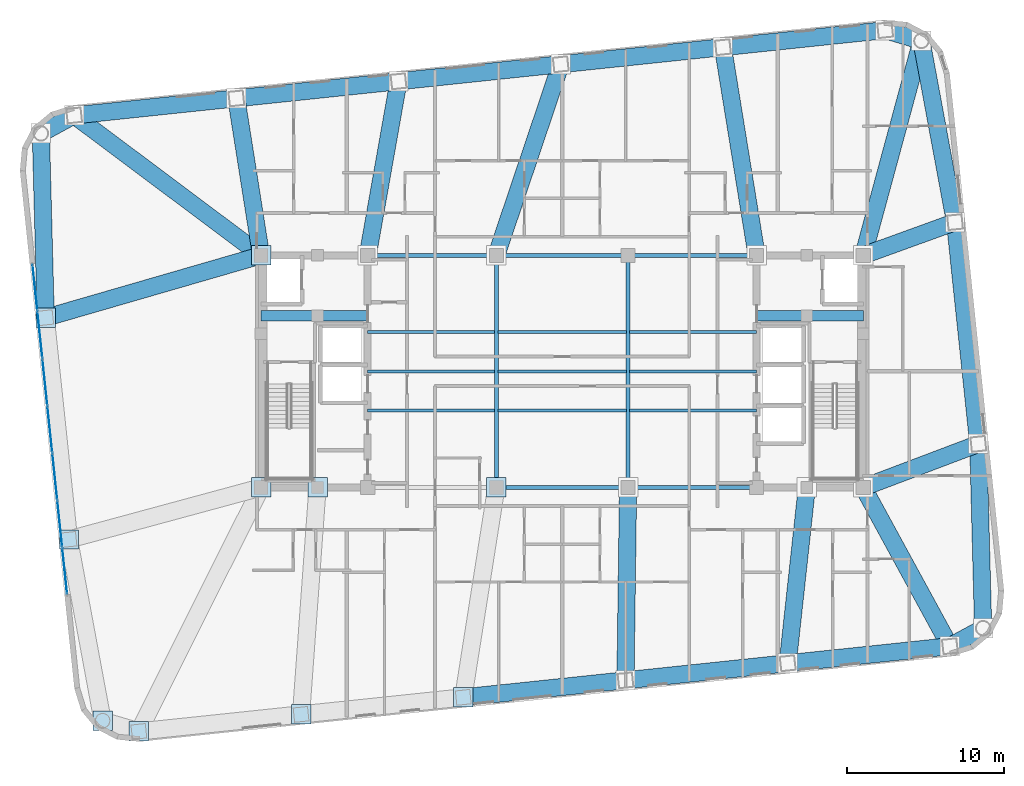
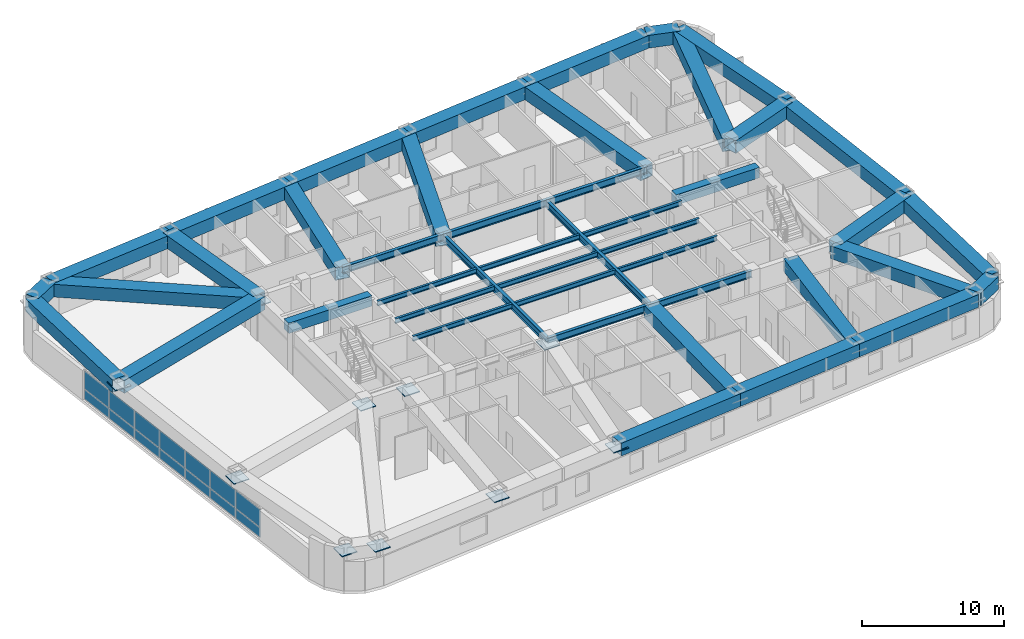
# One storey, part 5 of 14: 45 beams, 24 plates, 1 element without a shape of its own.
"""IFC4 building model written with IfcOpenShell, lengths in metres."""

import ifcopenshell
import ifcopenshell.guid

model = None  # the IFC model being written
_history = None  # IfcOwnerHistory: only IFC2X3 demands one
_inside = {}  # id of a spatial element -> (the spatial element, [elements in it])
_under = {}  # id of a project, library or spatial element -> (it, [spatial elements below it])
_declared = {}  # id of a project -> (the project, [libraries it declares])
_typed = {}  # id of a type object -> (the type object, [elements of that type])
_made_of = {}  # id of a material, layer set ... -> (it, [elements and type objects made of it])


def new_model(schema):
    """Start an empty IFC model of exactly this schema.

    Asked for "IFC4X3", IfcOpenShell would pick the latest addendum, in which some entities
    have other attributes; the version numbers below select the first issue.
    IFC2X3 requires an IfcOwnerHistory on every rooted entity: one is made here for all.
    """
    global model, _history
    if schema == "IFC4X3":
        model = ifcopenshell.file(schema_version=(4, 3, 0, 0))
    else:
        model = ifcopenshell.file(schema=schema)
    _inside.clear()
    _under.clear()
    _declared.clear()
    _typed.clear()
    _made_of.clear()
    _history = None
    if model.schema == "IFC2X3":
        org = make("IfcOrganization", Name="unknown")
        user = make(
            "IfcPersonAndOrganization",
            ThePerson=make("IfcPerson", FamilyName="unknown"),
            TheOrganization=org,
        )
        app = make(
            "IfcApplication",
            ApplicationDeveloper=org,
            Version="unknown",
            ApplicationFullName="unknown",
            ApplicationIdentifier="unknown",
        )
        _history = make(
            "IfcOwnerHistory",
            OwningUser=user,
            OwningApplication=app,
            ChangeAction="ADDED",
            CreationDate=0,
        )
    return model


def make(cls, **values):
    """One entity of the class cls with the attributes given. An attribute that is None is left unset."""
    return model.create_entity(
        cls, **{name: value for name, value in values.items() if value is not None}
    )


def rooted(cls, **values):
    """An entity with a GlobalId (a new one), such as an element, a storey or a relation."""
    return make(cls, GlobalId=ifcopenshell.guid.new(), OwnerHistory=_history, **values)


def si_unit(unit_type, name, prefix=None):
    """IfcSIUnit, for example si_unit("LENGTHUNIT", "METRE", prefix="MILLI")."""
    return make("IfcSIUnit", UnitType=unit_type, Prefix=prefix, Name=name)


def assignment(units):
    """IfcUnitAssignment: the units of a project."""
    return None if units is None else make("IfcUnitAssignment", Units=units)


def point(xyz):
    """IfcCartesianPoint."""
    return None if xyz is None else make("IfcCartesianPoint", Coordinates=xyz)


def direction(xyz):
    """IfcDirection."""
    return None if xyz is None else make("IfcDirection", DirectionRatios=xyz)


def frame(location, z_axis=None, x_axis=None):
    """IfcAxis2Placement3D, a coordinate frame: its origin and axes. An axis left out is left unset."""
    return make(
        "IfcAxis2Placement3D",
        Location=point(location),
        Axis=direction(z_axis),
        RefDirection=direction(x_axis),
    )


def frame_2d(location, x_axis=None):
    """IfcAxis2Placement2D, a coordinate frame in the plane: its origin and x axis."""
    return make(
        "IfcAxis2Placement2D", Location=point(location), RefDirection=direction(x_axis)
    )


def origin():
    """The frame at (0, 0, 0) with its axes left unset."""
    return frame((0.0, 0.0, 0.0))


def origin_2d():
    """The frame at (0, 0) in the plane with its x axis left unset."""
    return frame_2d((0.0, 0.0))


def place(relative_to, where):
    """IfcLocalPlacement: puts the frame where relative to a parent placement (None: the world)."""
    return make(
        "IfcLocalPlacement", PlacementRelTo=relative_to, RelativePlacement=where
    )


def context(
    kind, dimensions, precision=None, world=None, true_north=None, identifier=None
):
    """IfcGeometricRepresentationContext, for example the 3D "Model" context."""
    return make(
        "IfcGeometricRepresentationContext",
        ContextIdentifier=identifier,
        ContextType=kind,
        CoordinateSpaceDimension=dimensions,
        Precision=precision,
        WorldCoordinateSystem=world,
        TrueNorth=true_north,
    )


def subcontext(parent, identifier, kind, view, scale=None):
    """IfcGeometricRepresentationSubContext, for example "Body" below "Model"."""
    return make(
        "IfcGeometricRepresentationSubContext",
        ContextIdentifier=identifier,
        ContextType=kind,
        ParentContext=parent,
        TargetScale=scale,
        TargetView=view,
    )


def project(units=None, contexts=None):
    """IfcProject with its units and contexts."""
    return rooted(
        "IfcProject",
        Name="project",
        RepresentationContexts=contexts,
        UnitsInContext=assignment(units),
    )


def spatial(cls, under=None, at=None, **own):
    """A site, building, storey or space (cls), placed at a placement, below another one or the project."""
    s = rooted(cls, ObjectPlacement=at, **own)
    if under is not None:
        _under.setdefault(under.id(), (under, []))[1].append(s)
    return s


def profile(cls, at=None, kind="AREA", **sizes):
    """A parametric profile (cls). Its sizes go by their IFC names, for example OverallWidth=200.0."""
    return make(cls, ProfileType=kind, Position=at, **sizes)


def rectangle(**sizes):
    """IfcRectangleProfileDef."""
    return profile("IfcRectangleProfileDef", **sizes)


def hollow_rectangle(**sizes):
    """IfcRectangleHollowProfileDef."""
    return profile("IfcRectangleHollowProfileDef", **sizes)


def i_section(**sizes):
    """IfcIShapeProfileDef."""
    return profile("IfcIShapeProfileDef", **sizes)


def extrude(swept, where, along, depth):
    """IfcExtrudedAreaSolid: the profile swept, set in the frame where, extruded along a direction by depth."""
    return make(
        "IfcExtrudedAreaSolid",
        SweptArea=swept,
        Position=where,
        ExtrudedDirection=direction(along),
        Depth=depth,
    )


def shape(context_of_items, identifier, shape_type, items):
    """IfcShapeRepresentation: the items that make up one representation, for example the "Body"."""
    return make(
        "IfcShapeRepresentation",
        ContextOfItems=context_of_items,
        RepresentationIdentifier=identifier,
        RepresentationType=shape_type,
        Items=items,
    )


def material(Name=None, Category=None):
    """IfcMaterial."""
    return make("IfcMaterial", Name=Name, Category=Category)


def layer(
    of_material, thickness, ventilated=None, Name=None, Category=None, Priority=None
):
    """IfcMaterialLayer: one layer of a wall or slab, of a material (None: an air gap)."""
    return make(
        "IfcMaterialLayer",
        Material=of_material,
        LayerThickness=thickness,
        IsVentilated=ventilated,
        Name=Name,
        Category=Category,
        Priority=Priority,
    )


def layer_set(layers, Name=None):
    """IfcMaterialLayerSet."""
    return make("IfcMaterialLayerSet", MaterialLayers=layers, LayerSetName=Name)


def material_profile(
    of_material, cross_section, Name=None, Category=None, Priority=None
):
    """IfcMaterialProfile: a cross section and its material."""
    return make(
        "IfcMaterialProfile",
        Name=Name,
        Material=of_material,
        Profile=cross_section,
        Priority=Priority,
        Category=Category,
    )


def profile_set(profiles, Name=None, composite=None):
    """IfcMaterialProfileSet."""
    return make(
        "IfcMaterialProfileSet",
        Name=Name,
        MaterialProfiles=profiles,
        CompositeProfile=composite,
    )


def made_of(thing, what):
    """Note that an element or type object is made of a material, layer set ...; save() writes the relation."""
    if what is not None:
        _made_of.setdefault(what.id(), (what, []))[1].append(thing)
    return thing


def type_object(cls, material=None, **own):
    """A type object (cls), such as IfcWallType, which elements share."""
    return made_of(rooted(cls, **own), material)


def element(
    cls,
    number,
    at=None,
    inside=None,
    cuts=None,
    type_object=None,
    material=None,
    context=None,
    identifier="Body",
    shape_type=None,
    held_by="IfcProductDefinitionShape",
    body=None,
    shapes=None,
    **own,
):
    """One element of the class cls, such as IfcWall. Its Tag is "e" and its number.

    at: its placement. inside: the storey or other place that contains it. cuts: it is an
    opening in that element (IfcRelVoidsElement). A single representation is given by context,
    identifier, shape_type and body (its items); several are given by shapes. held_by: the class
    of the entity that holds the representations. save() writes the other relations.
    """
    e = rooted(cls, Tag="e%d" % number, ObjectPlacement=at, **own)
    if body is not None:
        shapes = [shape(context, identifier, shape_type, body)]
    if shapes is not None:
        e.Representation = make(held_by, Representations=shapes)
    if inside is not None:
        _inside.setdefault(inside.id(), (inside, []))[1].append(e)
    if cuts is not None:
        rooted(
            "IfcRelVoidsElement", RelatingBuildingElement=cuts, RelatedOpeningElement=e
        )
    if type_object is not None:
        _typed.setdefault(type_object.id(), (type_object, []))[1].append(e)
    return made_of(e, material)


def aggregate(whole, parts):
    """IfcRelAggregates: a whole, such as a stair, and the parts it consists of."""
    return rooted("IfcRelAggregates", RelatingObject=whole, RelatedObjects=parts)


def save(model, path):
    """Write the relations noted so far, then the file.

    IfcRelAggregates (storeys below a building ...), IfcRelContainedInSpatialStructure (elements
    in a storey), IfcRelDefinesByType, IfcRelAssociatesMaterial and IfcRelDeclares: one each for
    every whole, place, type object, material and project.
    """
    for whole, parts in _under.values():
        aggregate(whole, parts)
    for where, things in _inside.values():
        rooted(
            "IfcRelContainedInSpatialStructure",
            RelatedElements=things,
            RelatingStructure=where,
        )
    for kind, things in _typed.values():
        rooted("IfcRelDefinesByType", RelatedObjects=things, RelatingType=kind)
    for what, things in _made_of.values():
        rooted("IfcRelAssociatesMaterial", RelatedObjects=things, RelatingMaterial=what)
    for by, libraries in _declared.values():
        rooted("IfcRelDeclares", RelatingContext=by, RelatedDefinitions=libraries)
    model.write(path)


model = new_model("IFC4")

# Units and contexts
model_context = context("Model", 3, precision=1e-05, world=origin(), true_north=direction((0.0, 1.0)))
body_context = subcontext(model_context, "Body", "Model", "MODEL_VIEW")
ifc_project = project(units=[si_unit("LENGTHUNIT", "METRE"), si_unit("AREAUNIT", "SQUARE_METRE"), si_unit("VOLUMEUNIT", "CUBIC_METRE"), si_unit("PLANEANGLEUNIT", "RADIAN"), si_unit("MASSUNIT", "GRAM", prefix="KILO")], contexts=[model_context])

# Site, building, storey
site_placement = place(None, origin())
site = spatial("IfcSite", under=ifc_project, at=site_placement, CompositionType="ELEMENT")
building_placement = place(site_placement, origin())
building = spatial("IfcBuilding", under=site, at=building_placement, Name="Voryun Gate Residences", CompositionType="ELEMENT")
storey_placement = place(building_placement, frame((0.0, 0.0, 144.300048828125)))
storey = spatial("IfcBuildingStorey", under=building, at=storey_placement, Name="L35", CompositionType="ELEMENT", Elevation=144.300048828125)

# Beams
ifc_material_1 = material(Name="Steel SM420", Category="steel")
ifc_material_profile_1 = material_profile(ifc_material_1, hollow_rectangle(XDim=1.10009765625, YDim=1.10009765625, WallThickness=0.035888671875, at=origin_2d()), Name="BOX-1100x1100x36")
ifc_profile_set_1 = profile_set([ifc_material_profile_1], Name="Steel SM420")
beam_type_1 = type_object("IfcBeamType", Name="BM_ARCH_RIB", PredefinedType="USERDEFINED", material=ifc_profile_set_1)
for number, where, z_axis, x_axis, name in (
    (1, (-6.30712890625, -20.785400390625, 3.099853515625), (0.994521263116, 0.104534478571, 0.0), (-0.104534478571, 0.994521263116, 0.0), "BM-L35-SPAND-03"),
    (2, (4.035888671875, -19.6982421875, 3.099853515625), (0.994521263116, 0.104534478571, 0.0), (-0.104534478571, 0.994521263116, 0.0), "BM-L35-SPAND-04"),
    (3, (14.37890625, -18.611083984375, 3.099853515625), (0.99452370336, 0.10451125994, 0.0), (-0.10451125994, 0.99452370336, 0.0), "BM-L35-SPAND-05"),
):
    element("IfcBeam", number, at=place(storey_placement, frame(where, z_axis=z_axis, x_axis=x_axis)), inside=storey, type_object=beam_type_1, Name=name, ObjectType="GIRDER", PredefinedType="USERDEFINED", context=body_context, shape_type="SweptSolid", body=[
        extrude(hollow_rectangle(XDim=1.10009765625, YDim=1.10009765625, WallThickness=0.035888671875, at=origin_2d()), origin(), (0.0, 0.0, 1.0), 10.39990234375),
    ])
beam_1_placement = place(storey_placement, frame((24.721923828125, -17.524169921875, 3.099853515625), z_axis=(0.878830382314, 0.477134319791, 0.0), x_axis=(-0.477134319791, 0.878830382314, 0.0)))
element("IfcBeam", 4, at=beam_1_placement, inside=storey, type_object=beam_type_1, Name="BM-L35-SPAND-06", ObjectType="GIRDER", PredefinedType="USERDEFINED", context=body_context, shape_type="SweptSolid", body=[
    extrude(hollow_rectangle(XDim=1.10009765625, YDim=1.10009765625, WallThickness=0.035888671875, at=origin_2d()), origin(), (0.0, 0.0, 1.0), 2.4111328125),
])
beam_2_placement = place(storey_placement, frame((26.8408203125, -16.373779296875, 3.099853515625), z_axis=(-0.026151005195, 0.999658003983, 0.0), x_axis=(-0.999658003983, -0.026151005195, 0.0)))
element("IfcBeam", 5, at=beam_2_placement, inside=storey, type_object=beam_type_1, Name="BM-L35-SPAND-07", ObjectType="GIRDER", PredefinedType="USERDEFINED", context=body_context, shape_type="SweptSolid", body=[
    extrude(hollow_rectangle(XDim=1.10009765625, YDim=1.10009765625, WallThickness=0.035888671875, at=origin_2d()), origin(), (0.0, 0.0, 1.0), 11.753662109375),
])
beam_3_placement = place(storey_placement, frame((26.533447265625, -4.6240234375, 3.099853515625), z_axis=(-0.104523913446, 0.994522373563, 0.0), x_axis=(-0.994522373563, -0.104523913446, 0.0)))
element("IfcBeam", 6, at=beam_3_placement, inside=storey, type_object=beam_type_1, Name="BM-L35-SPAND-08", ObjectType="GIRDER", PredefinedType="USERDEFINED", context=body_context, shape_type="SweptSolid", body=[
    extrude(hollow_rectangle(XDim=1.10009765625, YDim=1.10009765625, WallThickness=0.035888671875, at=origin_2d()), origin(), (0.0, 0.0, 1.0), 14.219970703125),
])
beam_4_placement = place(storey_placement, frame((25.047119140625, 9.51806640625, 3.099853515625), z_axis=(-0.182267768769, 0.983248931079, 0.0), x_axis=(-0.983248931079, -0.182267768769, 0.0)))
element("IfcBeam", 7, at=beam_4_placement, inside=storey, type_object=beam_type_1, Name="BM-L35-SPAND-09", ObjectType="GIRDER", PredefinedType="USERDEFINED", context=body_context, shape_type="SweptSolid", body=[
    extrude(hollow_rectangle(XDim=1.10009765625, YDim=1.10009765625, WallThickness=0.035888671875, at=origin_2d()), origin(), (0.0, 0.0, 1.0), 11.753662109375),
])
beam_5_placement = place(storey_placement, frame((22.90478515625, 21.074951171875, 3.099853515625), z_axis=(-0.958843048967, 0.283936625758, 0.0), x_axis=(-0.283936625758, -0.958843048967, 0.0)))
element("IfcBeam", 8, at=beam_5_placement, inside=storey, type_object=beam_type_1, Name="BM-L35-SPAND-10", ObjectType="GIRDER", PredefinedType="USERDEFINED", context=body_context, shape_type="SweptSolid", body=[
    extrude(hollow_rectangle(XDim=1.10009765625, YDim=1.10009765625, WallThickness=0.035888671875, at=origin_2d()), origin(), (0.0, 0.0, 1.0), 2.410888671875),
])
for number, where, z_axis, x_axis, name in (
    (9, (20.593017578125, 21.759521484375, 3.099853515625), (-0.994521263116, -0.104534478571, 0.0), (0.104534478571, -0.994521263116, 0.0), "BM-L35-SPAND-11"),
    (10, (10.25, 20.67236328125, 3.099853515625), (-0.99452370336, -0.10451125994, 0.0), (0.10451125994, -0.99452370336, 0.0), "BM-L35-SPAND-12"),
    (11, (-0.093017578125, 19.58544921875, 3.099853515625), (-0.994521263116, -0.104534478571, 0.0), (0.104534478571, -0.994521263116, 0.0), "BM-L35-SPAND-13"),
    (12, (-10.43603515625, 18.498291015625, 3.099853515625), (-0.994521263116, -0.104534478571, 0.0), (0.104534478571, -0.994521263116, 0.0), "BM-L35-SPAND-14"),
    (13, (-20.779052734375, 17.4111328125, 3.099853515625), (-0.994521263116, -0.104534478571, 0.0), (0.104534478571, -0.994521263116, 0.0), "BM-L35-SPAND-15"),
):
    element("IfcBeam", number, at=place(storey_placement, frame(where, z_axis=z_axis, x_axis=x_axis)), inside=storey, type_object=beam_type_1, Name=name, ObjectType="GIRDER", PredefinedType="USERDEFINED", context=body_context, shape_type="SweptSolid", body=[
        extrude(hollow_rectangle(XDim=1.10009765625, YDim=1.10009765625, WallThickness=0.035888671875, at=origin_2d()), origin(), (0.0, 0.0, 1.0), 10.39990234375),
    ])
beam_6_placement = place(storey_placement, frame((-31.1220703125, 16.323974609375, 3.099853515625), z_axis=(-0.878807326808, -0.47717678312, 0.0), x_axis=(0.47717678312, -0.878807326808, 0.0)))
element("IfcBeam", 14, at=beam_6_placement, inside=storey, type_object=beam_type_1, Name="BM-L35-SPAND-16", ObjectType="GIRDER", PredefinedType="USERDEFINED", context=body_context, shape_type="SweptSolid", body=[
    extrude(hollow_rectangle(XDim=1.10009765625, YDim=1.10009765625, WallThickness=0.035888671875, at=origin_2d()), origin(), (0.0, 0.0, 1.0), 2.410888671875),
])
beam_7_placement = place(storey_placement, frame((-33.24072265625, 15.173583984375, 3.099853515625), z_axis=(0.026130790716, -0.999658532588, 0.0), x_axis=(0.999658532588, 0.026130790716, 0.0)))
element("IfcBeam", 15, at=beam_7_placement, inside=storey, type_object=beam_type_1, Name="BM-L35-SPAND-17", ObjectType="GIRDER", PredefinedType="USERDEFINED", context=body_context, shape_type="SweptSolid", body=[
    extrude(hollow_rectangle(XDim=1.10009765625, YDim=1.10009765625, WallThickness=0.035888671875, at=origin_2d()), origin(), (0.0, 0.0, 1.0), 11.75341796875),
])
beam_8_placement = place(storey_placement, frame((4.199951171875, -7.39990234375, 3.099853515625), z_axis=(-0.013339028327, -0.999911031204, 0.0), x_axis=(0.999911031204, -0.013339028327, 0.0)))
element("IfcBeam", 16, at=beam_8_placement, inside=storey, type_object=beam_type_1, Name="BM-L35-RAD-S4", ObjectType="GIRDER", PredefinedType="USERDEFINED", context=body_context, shape_type="SweptSolid", body=[
    extrude(hollow_rectangle(XDim=1.10009765625, YDim=1.10009765625, WallThickness=0.035888671875, at=origin_2d()), origin(), (0.0, 0.0, 1.0), 12.29931640625),
])
beam_9_placement = place(storey_placement, frame((15.60009765625, -7.39990234375, 3.099853515625), z_axis=(-0.108285693252, -0.994119816037, 0.0), x_axis=(0.994119816037, -0.108285693252, 0.0)))
element("IfcBeam", 17, at=beam_9_placement, inside=storey, type_object=beam_type_1, Name="BM-L35-RAD-S5", ObjectType="GIRDER", PredefinedType="USERDEFINED", context=body_context, shape_type="SweptSolid", body=[
    extrude(hollow_rectangle(XDim=1.10009765625, YDim=1.10009765625, WallThickness=0.035888671875, at=origin_2d()), origin(), (0.0, 0.0, 1.0), 11.277587890625),
])
beam_10_placement = place(storey_placement, frame((19.199951171875, -7.39990234375, 3.099853515625), z_axis=(0.478828398266, -0.877908517451, 0.0), x_axis=(0.877908517451, 0.478828398266, 0.0)))
element("IfcBeam", 18, at=beam_10_placement, inside=storey, type_object=beam_type_1, Name="BM-L35-RAD-S6", ObjectType="GIRDER", PredefinedType="USERDEFINED", context=body_context, shape_type="SweptSolid", body=[
    extrude(hollow_rectangle(XDim=1.10009765625, YDim=1.10009765625, WallThickness=0.035888671875, at=origin_2d()), origin(), (0.0, 0.0, 1.0), 11.5322265625),
])
beam_11_placement = place(storey_placement, frame((19.199951171875, -7.39990234375, 3.099853515625), z_axis=(0.93524224301, 0.354008399462, 0.0), x_axis=(-0.354008399462, 0.93524224301, 0.0)))
element("IfcBeam", 19, at=beam_11_placement, inside=storey, type_object=beam_type_1, Name="BM-L35-RAD-E1", ObjectType="GIRDER", PredefinedType="USERDEFINED", context=body_context, shape_type="SweptSolid", body=[
    extrude(hollow_rectangle(XDim=1.10009765625, YDim=1.10009765625, WallThickness=0.035888671875, at=origin_2d()), origin(), (0.0, 0.0, 1.0), 7.84130859375),
])
beam_12_placement = place(storey_placement, frame((19.199951171875, 7.39990234375, 3.099853515625), z_axis=(0.94020993833, 0.340595466595, 0.0), x_axis=(-0.340595466595, 0.94020993833, 0.0)))
element("IfcBeam", 20, at=beam_12_placement, inside=storey, type_object=beam_type_1, Name="BM-L35-RAD-E2", ObjectType="GIRDER", PredefinedType="USERDEFINED", context=body_context, shape_type="SweptSolid", body=[
    extrude(hollow_rectangle(XDim=1.10009765625, YDim=1.10009765625, WallThickness=0.035888671875, at=origin_2d()), origin(), (0.0, 0.0, 1.0), 6.218994140625),
])
beam_13_placement = place(storey_placement, frame((19.199951171875, 7.39990234375, 3.099853515625), z_axis=(0.261492735838, 0.965205443988, 0.0), x_axis=(-0.965205443988, 0.261492735838, 0.0)))
element("IfcBeam", 21, at=beam_13_placement, inside=storey, type_object=beam_type_1, Name="BM-L35-RAD-CNE", ObjectType="GIRDER", PredefinedType="USERDEFINED", context=body_context, shape_type="SweptSolid", body=[
    extrude(hollow_rectangle(XDim=1.10009765625, YDim=1.10009765625, WallThickness=0.035888671875, at=origin_2d()), origin(), (0.0, 0.0, 1.0), 14.16796875),
])
beam_14_placement = place(storey_placement, frame((12.39990234375, 7.39990234375, 3.099853515625), z_axis=(-0.159898055533, 0.987133532931, 0.0), x_axis=(-0.987133532931, -0.159898055533, 0.0)))
element("IfcBeam", 22, at=beam_14_placement, inside=storey, type_object=beam_type_1, Name="BM-L35-RAD-N2", ObjectType="GIRDER", PredefinedType="USERDEFINED", context=body_context, shape_type="SweptSolid", body=[
    extrude(hollow_rectangle(XDim=1.10009765625, YDim=1.10009765625, WallThickness=0.035888671875, at=origin_2d()), origin(), (0.0, 0.0, 1.0), 13.445556640625),
])
beam_15_placement = place(storey_placement, frame((-4.199951171875, 7.39990234375, 3.099853515625), z_axis=(0.319381479956, 0.947626229197, 0.0), x_axis=(-0.947626229197, 0.319381479956, 0.0)))
element("IfcBeam", 23, at=beam_15_placement, inside=storey, type_object=beam_type_1, Name="BM-L35-RAD-N3", ObjectType="GIRDER", PredefinedType="USERDEFINED", context=body_context, shape_type="SweptSolid", body=[
    extrude(hollow_rectangle(XDim=1.10009765625, YDim=1.10009765625, WallThickness=0.035888671875, at=origin_2d()), origin(), (0.0, 0.0, 1.0), 12.859130859375),
])
beam_16_placement = place(storey_placement, frame((-12.39990234375, 7.39990234375, 3.099853515625), z_axis=(0.174243764839, 0.984702549207, 0.0), x_axis=(-0.984702549207, 0.174243764839, 0.0)))
element("IfcBeam", 24, at=beam_16_placement, inside=storey, type_object=beam_type_1, Name="BM-L35-RAD-N4", ObjectType="GIRDER", PredefinedType="USERDEFINED", context=body_context, shape_type="SweptSolid", body=[
    extrude(hollow_rectangle(XDim=1.10009765625, YDim=1.10009765625, WallThickness=0.035888671875, at=origin_2d()), origin(), (0.0, 0.0, 1.0), 11.270751953125),
])
beam_17_placement = place(storey_placement, frame((-19.199951171875, 7.39990234375, 3.099853515625), z_axis=(-0.155806710133, 0.987787562727, 0.0), x_axis=(-0.987787562727, -0.155806710133, 0.0)))
element("IfcBeam", 25, at=beam_17_placement, inside=storey, type_object=beam_type_1, Name="BM-L35-RAD-N5", ObjectType="GIRDER", PredefinedType="USERDEFINED", context=body_context, shape_type="SweptSolid", body=[
    extrude(hollow_rectangle(XDim=1.10009765625, YDim=1.10009765625, WallThickness=0.035888671875, at=origin_2d()), origin(), (0.0, 0.0, 1.0), 10.135009765625),
])
beam_18_placement = place(storey_placement, frame((-19.199951171875, 7.39990234375, 3.099853515625), z_axis=(-0.800564252374, 0.599246925583, 0.0), x_axis=(-0.599246925583, -0.800564252374, 0.0)))
element("IfcBeam", 26, at=beam_18_placement, inside=storey, type_object=beam_type_1, Name="BM-L35-RAD-N6", ObjectType="GIRDER", PredefinedType="USERDEFINED", context=body_context, shape_type="SweptSolid", body=[
    extrude(hollow_rectangle(XDim=1.10009765625, YDim=1.10009765625, WallThickness=0.035888671875, at=origin_2d()), origin(), (0.0, 0.0, 1.0), 14.89208984375),
])
beam_19_placement = place(storey_placement, frame((-19.199951171875, 7.39990234375, 3.099853515625), z_axis=(-0.960558623239, -0.278077563498, 0.0), x_axis=(0.278077563498, -0.960558623239, 0.0)))
element("IfcBeam", 27, at=beam_19_placement, inside=storey, type_object=beam_type_1, Name="BM-L35-RAD-W1", ObjectType="GIRDER", PredefinedType="USERDEFINED", context=body_context, shape_type="SweptSolid", body=[
    extrude(hollow_rectangle(XDim=1.10009765625, YDim=1.10009765625, WallThickness=0.035888671875, at=origin_2d()), origin(), (0.0, 0.0, 1.0), 14.297607421875),
])
ifc_material_2 = material(Name="Concrete C60/75", Category="concrete")
ifc_material_profile_2 = material_profile(ifc_material_2, rectangle(XDim=0.64990234375, YDim=0.89990234375, at=origin_2d()), Name="RC-650x900")
ifc_profile_set_2 = profile_set([ifc_material_profile_2], Name="Concrete C60/75")
beam_type_2 = type_object("IfcBeamType", Name="BM_COUP_RC900", PredefinedType="LINTEL", material=ifc_profile_set_2)
for number, where, z_axis, x_axis, name in (
    (28, (-19.199951171875, 3.550048828125, 3.199951171875), (1.0, 0.0, 0.0), (0.0, 1.0, 0.0), "BM-L35-WC1"),
    (29, (12.39990234375, 3.550048828125, 3.199951171875), (1.0, 0.0, 0.0), (0.0, 1.0, 0.0), "BM-L35-EC1"),
):
    element("IfcBeam", number, at=place(storey_placement, frame(where, z_axis=z_axis, x_axis=x_axis)), inside=storey, type_object=beam_type_2, Name=name, PredefinedType="LINTEL", context=body_context, shape_type="SweptSolid", body=[
        extrude(rectangle(XDim=0.64990234375, YDim=0.89990234375, at=origin_2d()), origin(), (0.0, 0.0, 1.0), 6.800048828125),
    ])
ifc_material_3 = material(Name="Steel SM355", Category="steel")
ifc_material_profile_3 = material_profile(ifc_material_3, i_section(OverallWidth=0.25, OverallDepth=0.60009765625, WebThickness=0.011962890625, FlangeThickness=0.02197265625, FilletRadius=0.01806640625, at=origin_2d()), Name="H-600x250x12x22")
ifc_profile_set_3 = profile_set([ifc_material_profile_3], Name="Steel SM355")
beam_type_3 = type_object("IfcBeamType", Name="BM_GIRD_600", PredefinedType="USERDEFINED", material=ifc_profile_set_3)
beam_20_placement = place(storey_placement, frame((-4.199951171875, -7.39990234375, 3.349853515625), z_axis=(1.0, 0.0, 0.0), x_axis=(0.0, 1.0, 0.0)))
element("IfcBeam", 30, at=beam_20_placement, inside=storey, type_object=beam_type_3, Name="BM-L35-SPG2-S", ObjectType="GIRDER", PredefinedType="USERDEFINED", context=body_context, shape_type="SweptSolid", body=[
    extrude(i_section(OverallWidth=0.25, OverallDepth=0.60009765625, WebThickness=0.011962890625, FlangeThickness=0.02197265625, FilletRadius=0.01806640625, at=origin_2d()), origin(), (0.0, 0.0, 1.0), 8.39990234375),
])
for number, where, z_axis, x_axis, name in (
    (31, (4.199951171875, -7.39990234375, 3.349853515625), (1.0, 0.0, 0.0), (0.0, 1.0, 0.0), "BM-L35-SPG3-S"),
    (32, (-12.39990234375, 7.39990234375, 3.349853515625), (1.0, 0.0, 0.0), (0.0, 1.0, 0.0), "BM-L35-SPG1-N"),
):
    element("IfcBeam", number, at=place(storey_placement, frame(where, z_axis=z_axis, x_axis=x_axis)), inside=storey, type_object=beam_type_3, Name=name, ObjectType="GIRDER", PredefinedType="USERDEFINED", context=body_context, shape_type="SweptSolid", body=[
        extrude(i_section(OverallWidth=0.25, OverallDepth=0.60009765625, WebThickness=0.011962890625, FlangeThickness=0.02197265625, FilletRadius=0.01806640625, at=origin_2d()), origin(), (0.0, 0.0, 1.0), 8.199951171875),
    ])
beam_21_placement = place(storey_placement, frame((-4.199951171875, 7.39990234375, 3.349853515625), z_axis=(1.0, 0.0, 0.0), x_axis=(0.0, 1.0, 0.0)))
element("IfcBeam", 33, at=beam_21_placement, inside=storey, type_object=beam_type_3, Name="BM-L35-SPG2-N", ObjectType="GIRDER", PredefinedType="USERDEFINED", context=body_context, shape_type="SweptSolid", body=[
    extrude(i_section(OverallWidth=0.25, OverallDepth=0.60009765625, WebThickness=0.011962890625, FlangeThickness=0.02197265625, FilletRadius=0.01806640625, at=origin_2d()), origin(), (0.0, 0.0, 1.0), 8.39990234375),
])
beam_22_placement = place(storey_placement, frame((4.199951171875, 7.39990234375, 3.349853515625), z_axis=(1.0, 0.0, 0.0), x_axis=(0.0, 1.0, 0.0)))
element("IfcBeam", 34, at=beam_22_placement, inside=storey, type_object=beam_type_3, Name="BM-L35-SPG3-N", ObjectType="GIRDER", PredefinedType="USERDEFINED", context=body_context, shape_type="SweptSolid", body=[
    extrude(i_section(OverallWidth=0.25, OverallDepth=0.60009765625, WebThickness=0.011962890625, FlangeThickness=0.02197265625, FilletRadius=0.01806640625, at=origin_2d()), origin(), (0.0, 0.0, 1.0), 8.199951171875),
])
for number, where, z_axis, x_axis, name in (
    (35, (-4.199951171875, -7.39990234375, 3.349853515625), (0.0, 1.0, 0.0), (-1.0, 0.0, 0.0), "BM-L35-SPX-W"),
    (36, (4.199951171875, -7.39990234375, 3.349853515625), (0.0, 1.0, 0.0), (-1.0, 0.0, 0.0), "BM-L35-SPX-E"),
):
    element("IfcBeam", number, at=place(storey_placement, frame(where, z_axis=z_axis, x_axis=x_axis)), inside=storey, type_object=beam_type_3, Name=name, ObjectType="GIRDER", PredefinedType="USERDEFINED", context=body_context, shape_type="SweptSolid", body=[
        extrude(i_section(OverallWidth=0.25, OverallDepth=0.60009765625, WebThickness=0.011962890625, FlangeThickness=0.02197265625, FilletRadius=0.01806640625, at=origin_2d()), origin(), (0.0, 0.0, 1.0), 14.7998046875),
    ])
ifc_material_4 = material(Name="Steel SM355", Category="steel")
ifc_material_profile_4 = material_profile(ifc_material_4, i_section(OverallWidth=0.18994140625, OverallDepth=0.419921875, WebThickness=0.009033203125, FlangeThickness=0.01611328125, FilletRadius=0.01806640625, at=origin_2d()), Name="H-420x190x9x16")
ifc_profile_set_4 = profile_set([ifc_material_profile_4], Name="Steel SM355")
beam_type_4 = type_object("IfcBeamType", Name="BM_SEC_420", PredefinedType="BEAM", material=ifc_profile_set_4)
beam_23_placement = place(storey_placement, frame((-12.39990234375, -2.5, 3.43994140625), z_axis=(1.0, 0.0, 0.0), x_axis=(0.0, 1.0, 0.0)))
element("IfcBeam", 37, at=beam_23_placement, inside=storey, type_object=beam_type_4, Name="BM-L35-SEC-CS1", PredefinedType="BEAM", context=body_context, shape_type="SweptSolid", body=[
    extrude(i_section(OverallWidth=0.18994140625, OverallDepth=0.419921875, WebThickness=0.009033203125, FlangeThickness=0.01611328125, FilletRadius=0.01806640625, at=origin_2d()), origin(), (0.0, 0.0, 1.0), 8.099853515625),
])
beam_24_placement = place(storey_placement, frame((-4.10009765625, -2.5, 3.43994140625), z_axis=(1.0, 0.0, 0.0), x_axis=(0.0, 1.0, 0.0)))
element("IfcBeam", 38, at=beam_24_placement, inside=storey, type_object=beam_type_4, Name="BM-L35-SEC-CS2", PredefinedType="BEAM", context=body_context, shape_type="SweptSolid", body=[
    extrude(i_section(OverallWidth=0.18994140625, OverallDepth=0.419921875, WebThickness=0.009033203125, FlangeThickness=0.01611328125, FilletRadius=0.01806640625, at=origin_2d()), origin(), (0.0, 0.0, 1.0), 8.2001953125),
])
for number, where, z_axis, x_axis, name in (
    (39, (4.300048828125, -2.5, 3.43994140625), (1.0, 0.0, 0.0), (0.0, 1.0, 0.0), "BM-L35-SEC-CS3"),
    (40, (-12.39990234375, 0.0, 3.43994140625), (1.0, 0.0, 0.0), (0.0, 1.0, 0.0), "BM-L35-SEC-CM1"),
):
    element("IfcBeam", number, at=place(storey_placement, frame(where, z_axis=z_axis, x_axis=x_axis)), inside=storey, type_object=beam_type_4, Name=name, PredefinedType="BEAM", context=body_context, shape_type="SweptSolid", body=[
        extrude(i_section(OverallWidth=0.18994140625, OverallDepth=0.419921875, WebThickness=0.009033203125, FlangeThickness=0.01611328125, FilletRadius=0.01806640625, at=origin_2d()), origin(), (0.0, 0.0, 1.0), 8.099853515625),
    ])
beam_25_placement = place(storey_placement, frame((-4.10009765625, 0.0, 3.43994140625), z_axis=(1.0, 0.0, 0.0), x_axis=(0.0, 1.0, 0.0)))
element("IfcBeam", 41, at=beam_25_placement, inside=storey, type_object=beam_type_4, Name="BM-L35-SEC-CM2", PredefinedType="BEAM", context=body_context, shape_type="SweptSolid", body=[
    extrude(i_section(OverallWidth=0.18994140625, OverallDepth=0.419921875, WebThickness=0.009033203125, FlangeThickness=0.01611328125, FilletRadius=0.01806640625, at=origin_2d()), origin(), (0.0, 0.0, 1.0), 8.2001953125),
])
for number, where, z_axis, x_axis, name in (
    (42, (4.300048828125, 0.0, 3.43994140625), (1.0, 0.0, 0.0), (0.0, 1.0, 0.0), "BM-L35-SEC-CM3"),
    (43, (-12.39990234375, 2.5, 3.43994140625), (1.0, 0.0, 0.0), (0.0, 1.0, 0.0), "BM-L35-SEC-CN1"),
):
    element("IfcBeam", number, at=place(storey_placement, frame(where, z_axis=z_axis, x_axis=x_axis)), inside=storey, type_object=beam_type_4, Name=name, PredefinedType="BEAM", context=body_context, shape_type="SweptSolid", body=[
        extrude(i_section(OverallWidth=0.18994140625, OverallDepth=0.419921875, WebThickness=0.009033203125, FlangeThickness=0.01611328125, FilletRadius=0.01806640625, at=origin_2d()), origin(), (0.0, 0.0, 1.0), 8.099853515625),
    ])
beam_26_placement = place(storey_placement, frame((-4.10009765625, 2.5, 3.43994140625), z_axis=(1.0, 0.0, 0.0), x_axis=(0.0, 1.0, 0.0)))
element("IfcBeam", 44, at=beam_26_placement, inside=storey, type_object=beam_type_4, Name="BM-L35-SEC-CN2", PredefinedType="BEAM", context=body_context, shape_type="SweptSolid", body=[
    extrude(i_section(OverallWidth=0.18994140625, OverallDepth=0.419921875, WebThickness=0.009033203125, FlangeThickness=0.01611328125, FilletRadius=0.01806640625, at=origin_2d()), origin(), (0.0, 0.0, 1.0), 8.2001953125),
])
beam_27_placement = place(storey_placement, frame((4.300048828125, 2.5, 3.43994140625), z_axis=(1.0, 0.0, 0.0), x_axis=(0.0, 1.0, 0.0)))
element("IfcBeam", 45, at=beam_27_placement, inside=storey, type_object=beam_type_4, Name="BM-L35-SEC-CN3", PredefinedType="BEAM", context=body_context, shape_type="SweptSolid", body=[
    extrude(i_section(OverallWidth=0.18994140625, OverallDepth=0.419921875, WebThickness=0.009033203125, FlangeThickness=0.01611328125, FilletRadius=0.01806640625, at=origin_2d()), origin(), (0.0, 0.0, 1.0), 8.099853515625),
])

# Plates
ifc_material_5 = material(Name="Steel SM355", Category="steel")
ifc_layer_1 = layer(ifc_material_5, 0.02490234375, Name="PLT_END_CAP_25")
ifc_layer_set_1 = layer_set([ifc_layer_1], Name="Steel SM355")
plate_type_1 = type_object("IfcPlateType", Name="PLT_END_CAP_25", PredefinedType="USERDEFINED", material=ifc_layer_set_1)
for number, where, z_axis, x_axis, name in (
    (46, (-26.9931640625, -22.959716796875, 3.059814453125), (0.0, 0.0, 1.0), (1.0, 0.0, 0.0), "L35 Hollow Member End-Cap Plate EC-498"),
    (47, (-16.650146484375, -21.87255859375, 3.059814453125), (0.0, 0.0, 1.0), (1.0, 0.0, 0.0), "L35 Hollow Member End-Cap Plate EC-499"),
    (48, (-6.30712890625, -20.785400390625, 3.059814453125), (0.0, 0.0, 1.0), (1.0, 0.0, 0.0), "L35 Hollow Member End-Cap Plate EC-500"),
    (49, (-32.93359375, 3.424072265625, 3.059814453125), (0.0, 0.0, 1.0), (1.0, 0.0, 0.0), "L35 Hollow Member End-Cap Plate EC-515"),
    (50, (-31.447021484375, -10.718017578125, 3.059814453125), (0.0, 0.0, 1.0), (1.0, 0.0, 0.0), "L35 Hollow Member End-Cap Plate EC-516"),
    (51, (-29.3046875, -22.27490234375, 3.059814453125), (0.0, 0.0, 1.0), (1.0, 0.0, 0.0), "L35 Hollow Member End-Cap Plate EC-517"),
    (52, (-19.199951171875, -7.39990234375, 3.059814453125), (0.0, 0.0, 1.0), (1.0, 0.0, 0.0), "L35 Hollow Member End-Cap Plate EC-518"),
    (53, (-15.60009765625, -7.39990234375, 3.059814453125), (0.0, 0.0, 1.0), (1.0, 0.0, 0.0), "L35 Hollow Member End-Cap Plate EC-519"),
    (54, (-4.199951171875, -7.39990234375, 3.059814453125), (0.0, 0.0, 1.0), (1.0, 0.0, 0.0), "L35 Hollow Member End-Cap Plate EC-520"),
    (55, (-19.199951171875, 7.39990234375, 3.059814453125), (0.0, 0.0, 1.0), (1.0, 0.0, 0.0), "L35 Hollow Member End-Cap Plate EC-528"),
):
    element("IfcPlate", number, at=place(storey_placement, frame(where, z_axis=z_axis, x_axis=x_axis)), inside=storey, type_object=plate_type_1, Name=name, ObjectType="BASE_PLATE", PredefinedType="USERDEFINED", context=body_context, shape_type="SweptSolid", body=[
        extrude(rectangle(XDim=1.239990234375, YDim=1.239990234375, at=origin_2d()), origin(), (0.0, 0.0, 1.0), 0.080078125),
    ])

# Curtain wall, plates
ifc_material_6 = material(Name="Anodised aluminium", Category="aluminium")
ifc_layer_2 = layer(ifc_material_6, 0.2099609375, Name="CW_SYS_SKYGARDEN_DARK_GLASS")
ifc_layer_set_2 = layer_set([ifc_layer_2], Name="Anodised aluminium")
curtain_wall_type = type_object("IfcCurtainWallType", Name="CW_SYS_SKYGARDEN_DARK_GLASS", PredefinedType="NOTDEFINED", material=ifc_layer_set_2)
curtain_wall_placement = place(storey_placement, origin())
curtain_wall = element("IfcCurtainWall", 56, at=curtain_wall_placement, inside=storey, type_object=curtain_wall_type, Name="Curtain wall CW5-L35-SG-06", PredefinedType="NOTDEFINED")
ifc_material_7 = material(Name="Laminated low-E glass", Category="glass")
ifc_layer_3 = layer(ifc_material_7, 0.0458984375, Name="PLT_GLASS_DARK_SKY")
ifc_layer_set_3 = layer_set([ifc_layer_3], Name="Laminated low-E glass")
plate_type_2 = type_object("IfcPlateType", Name="PLT_GLASS_DARK_SKY", PredefinedType="CURTAIN_PANEL", material=ifc_layer_set_3)
plate_1_placement = place(storey_placement, frame((-31.71826171875, -12.7294921875, 0.06005859375), z_axis=(0.0, 0.0, 1.0), x_axis=(-0.104529794654, 0.994521755433, 0.0)))
plate_1 = element("IfcPlate", 57, at=plate_1_placement, type_object=plate_type_2, Name="CW5 panel 1.1", PredefinedType="CURTAIN_PANEL", context=body_context, shape_type="SweptSolid", body=[
    extrude(rectangle(XDim=2.9423828125, YDim=0.028076171875, at=origin_2d()), origin(), (0.0, 0.0, 1.0), 0.824462890625),
])
plate_2_placement = place(storey_placement, frame((-31.71826171875, -12.7294921875, 0.9443359375), z_axis=(0.0, 0.0, 1.0), x_axis=(-0.104529794654, 0.994521755433, 0.0)))
plate_2 = element("IfcPlate", 58, at=plate_2_placement, type_object=plate_type_2, Name="CW5 panel 1.2", PredefinedType="CURTAIN_PANEL", context=body_context, shape_type="SweptSolid", body=[
    extrude(rectangle(XDim=2.9423828125, YDim=0.028076171875, at=origin_2d()), origin(), (0.0, 0.0, 1.0), 1.53564453125),
])
plate_3_placement = place(storey_placement, frame((-32.03369140625, -9.728759765625, 0.06005859375), z_axis=(0.0, 0.0, 1.0), x_axis=(-0.104529794654, 0.994521755433, 0.0)))
plate_3 = element("IfcPlate", 59, at=plate_3_placement, type_object=plate_type_2, Name="CW5 panel 2.1", PredefinedType="CURTAIN_PANEL", context=body_context, shape_type="SweptSolid", body=[
    extrude(rectangle(XDim=2.972412109375, YDim=0.028076171875, at=origin_2d()), origin(), (0.0, 0.0, 1.0), 0.824462890625),
])
plate_4_placement = place(storey_placement, frame((-32.03369140625, -9.728759765625, 0.9443359375), z_axis=(0.0, 0.0, 1.0), x_axis=(-0.104529794654, 0.994521755433, 0.0)))
plate_4 = element("IfcPlate", 60, at=plate_4_placement, type_object=plate_type_2, Name="CW5 panel 2.2", PredefinedType="CURTAIN_PANEL", context=body_context, shape_type="SweptSolid", body=[
    extrude(rectangle(XDim=2.972412109375, YDim=0.028076171875, at=origin_2d()), origin(), (0.0, 0.0, 1.0), 1.53564453125),
])
plate_5_placement = place(storey_placement, frame((-32.350830078125, -6.712890625, 0.06005859375), z_axis=(0.0, 0.0, 1.0), x_axis=(-0.104529794654, 0.994521755433, 0.0)))
plate_5 = element("IfcPlate", 61, at=plate_5_placement, type_object=plate_type_2, Name="CW5 panel 3.1", PredefinedType="CURTAIN_PANEL", context=body_context, shape_type="SweptSolid", body=[
    extrude(rectangle(XDim=2.972412109375, YDim=0.028076171875, at=origin_2d()), origin(), (0.0, 0.0, 1.0), 0.824462890625),
])
plate_6_placement = place(storey_placement, frame((-32.350830078125, -6.712890625, 0.9443359375), z_axis=(0.0, 0.0, 1.0), x_axis=(-0.104529794654, 0.994521755433, 0.0)))
plate_6 = element("IfcPlate", 62, at=plate_6_placement, type_object=plate_type_2, Name="CW5 panel 3.2", PredefinedType="CURTAIN_PANEL", context=body_context, shape_type="SweptSolid", body=[
    extrude(rectangle(XDim=2.972412109375, YDim=0.028076171875, at=origin_2d()), origin(), (0.0, 0.0, 1.0), 1.53564453125),
])
plate_7_placement = place(storey_placement, frame((-32.667724609375, -3.697265625, 0.06005859375), z_axis=(0.0, 0.0, 1.0), x_axis=(-0.104529794654, 0.994521755433, 0.0)))
plate_7 = element("IfcPlate", 63, at=plate_7_placement, type_object=plate_type_2, Name="CW5 panel 4.1", PredefinedType="CURTAIN_PANEL", context=body_context, shape_type="SweptSolid", body=[
    extrude(rectangle(XDim=2.972412109375, YDim=0.028076171875, at=origin_2d()), origin(), (0.0, 0.0, 1.0), 0.824462890625),
])
plate_8_placement = place(storey_placement, frame((-32.667724609375, -3.697265625, 0.9443359375), z_axis=(0.0, 0.0, 1.0), x_axis=(-0.104529794654, 0.994521755433, 0.0)))
plate_8 = element("IfcPlate", 64, at=plate_8_placement, type_object=plate_type_2, Name="CW5 panel 4.2", PredefinedType="CURTAIN_PANEL", context=body_context, shape_type="SweptSolid", body=[
    extrude(rectangle(XDim=2.972412109375, YDim=0.028076171875, at=origin_2d()), origin(), (0.0, 0.0, 1.0), 1.53564453125),
])
plate_9_placement = place(storey_placement, frame((-32.984619140625, -0.681396484375, 0.06005859375), z_axis=(0.0, 0.0, 1.0), x_axis=(-0.104529794654, 0.994521755433, 0.0)))
plate_9 = element("IfcPlate", 65, at=plate_9_placement, type_object=plate_type_2, Name="CW5 panel 5.1", PredefinedType="CURTAIN_PANEL", context=body_context, shape_type="SweptSolid", body=[
    extrude(rectangle(XDim=2.972412109375, YDim=0.028076171875, at=origin_2d()), origin(), (0.0, 0.0, 1.0), 0.824462890625),
])
plate_10_placement = place(storey_placement, frame((-32.984619140625, -0.681396484375, 0.9443359375), z_axis=(0.0, 0.0, 1.0), x_axis=(-0.104529794654, 0.994521755433, 0.0)))
plate_10 = element("IfcPlate", 66, at=plate_10_placement, type_object=plate_type_2, Name="CW5 panel 5.2", PredefinedType="CURTAIN_PANEL", context=body_context, shape_type="SweptSolid", body=[
    extrude(rectangle(XDim=2.972412109375, YDim=0.028076171875, at=origin_2d()), origin(), (0.0, 0.0, 1.0), 1.53564453125),
])
plate_11_placement = place(storey_placement, frame((-33.3017578125, 2.334228515625, 0.06005859375), z_axis=(0.0, 0.0, 1.0), x_axis=(-0.104529794654, 0.994521755433, 0.0)))
plate_11 = element("IfcPlate", 67, at=plate_11_placement, type_object=plate_type_2, Name="CW5 panel 6.1", PredefinedType="CURTAIN_PANEL", context=body_context, shape_type="SweptSolid", body=[
    extrude(rectangle(XDim=2.972412109375, YDim=0.028076171875, at=origin_2d()), origin(), (0.0, 0.0, 1.0), 0.824462890625),
])
plate_12_placement = place(storey_placement, frame((-33.3017578125, 2.334228515625, 0.9443359375), z_axis=(0.0, 0.0, 1.0), x_axis=(-0.104529794654, 0.994521755433, 0.0)))
plate_12 = element("IfcPlate", 68, at=plate_12_placement, type_object=plate_type_2, Name="CW5 panel 6.2", PredefinedType="CURTAIN_PANEL", context=body_context, shape_type="SweptSolid", body=[
    extrude(rectangle(XDim=2.972412109375, YDim=0.028076171875, at=origin_2d()), origin(), (0.0, 0.0, 1.0), 1.53564453125),
])
plate_13_placement = place(storey_placement, frame((-33.616943359375, 5.335205078125, 0.06005859375), z_axis=(0.0, 0.0, 1.0), x_axis=(-0.104529794654, 0.994521755433, 0.0)))
plate_13 = element("IfcPlate", 69, at=plate_13_placement, type_object=plate_type_2, Name="CW5 panel 7.1", PredefinedType="CURTAIN_PANEL", context=body_context, shape_type="SweptSolid", body=[
    extrude(rectangle(XDim=2.9423828125, YDim=0.028076171875, at=origin_2d()), origin(), (0.0, 0.0, 1.0), 0.824462890625),
])
plate_14_placement = place(storey_placement, frame((-33.616943359375, 5.335205078125, 0.9443359375), z_axis=(0.0, 0.0, 1.0), x_axis=(-0.104529794654, 0.994521755433, 0.0)))
plate_14 = element("IfcPlate", 70, at=plate_14_placement, type_object=plate_type_2, Name="CW5 panel 7.2", PredefinedType="CURTAIN_PANEL", context=body_context, shape_type="SweptSolid", body=[
    extrude(rectangle(XDim=2.9423828125, YDim=0.028076171875, at=origin_2d()), origin(), (0.0, 0.0, 1.0), 1.53564453125),
])
aggregate(curtain_wall, [plate_1, plate_2, plate_3, plate_4, plate_5, plate_6, plate_7, plate_8, plate_9, plate_10, plate_11, plate_12, plate_13, plate_14])

save(model, "model.ifc")
